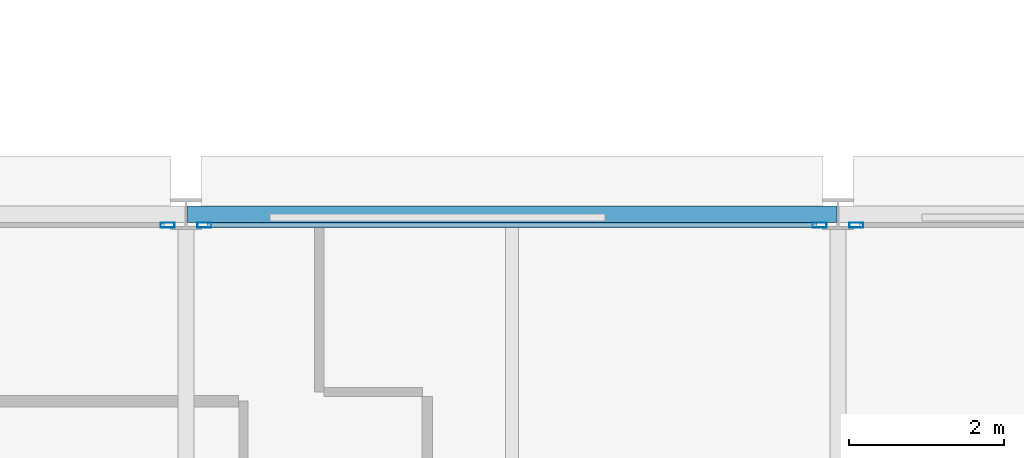
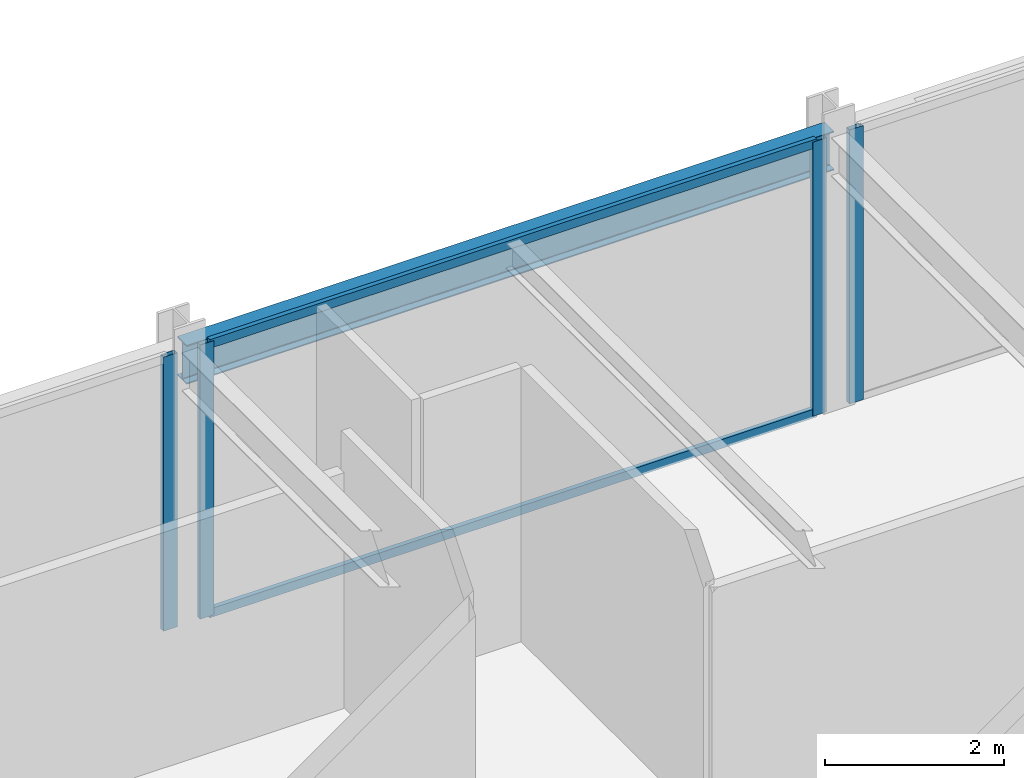
# One storey, part 20 of 40: 6 members, 1 beam, 3 elements without a shape of their own.
"""IFC4 building model written with IfcOpenShell, lengths in metres."""

from ifc_helpers import new_model, si_unit, direction, frame, origin, origin_2d, place, context, subcontext, project, spatial, hollow_rectangle, i_section, extrude, material, layer, layer_set, material_profile, profile_set, type_object, element, aggregate, save


model = new_model("IFC4")

# Units and contexts
model_context = context("Model", 3, precision=1e-05, world=origin(), true_north=direction((0.0, 1.0)))
body_context = subcontext(model_context, "Body", "Model", "MODEL_VIEW")
ifc_project = project(units=[si_unit("LENGTHUNIT", "METRE"), si_unit("AREAUNIT", "SQUARE_METRE"), si_unit("VOLUMEUNIT", "CUBIC_METRE"), si_unit("PLANEANGLEUNIT", "RADIAN"), si_unit("MASSUNIT", "GRAM", prefix="KILO")], contexts=[model_context])

# Site, building, storey
site_placement = place(None, origin())
site = spatial("IfcSite", under=ifc_project, at=site_placement, CompositionType="ELEMENT")
building_placement = place(site_placement, origin())
building = spatial("IfcBuilding", under=site, at=building_placement, Name="Nerrivon Quay Data Exchange", CompositionType="ELEMENT")
storey_placement = place(building_placement, frame((0.0, 0.0, 109.0)))
storey = spatial("IfcBuildingStorey", under=building, at=storey_placement, Name="L25", CompositionType="ELEMENT", Elevation=109.0)

# Beam
ifc_material_1 = material(Name="Steel Grade 350", Category="steel")
ifc_material_profile_1 = material_profile(ifc_material_1, i_section(OverallWidth=0.208984375, OverallDepth=0.532958984375, WebThickness=0.01025390625, FlangeThickness=0.015625, FilletRadius=0.013916015625, at=origin_2d()), Name="530UB92.4")
ifc_profile_set_1 = profile_set([ifc_material_profile_1], Name="Steel Grade 350")
beam_type = type_object("IfcBeamType", Name="BM-G3-530UB92", PredefinedType="BEAM", material=ifc_profile_set_1)
beam_placement = place(storey_placement, frame((33.612548828125, 25.199951171875, 3.4833984375), z_axis=(1.0, 0.0, 0.0), x_axis=(0.0, 1.0, 0.0)))
element("IfcBeam", 1, at=beam_placement, inside=storey, type_object=beam_type, Name="L25 EW Girder Y=25.2 (33.6..42.0)", PredefinedType="BEAM", context=body_context, shape_type="SweptSolid", body=[
    extrude(i_section(OverallWidth=0.208984375, OverallDepth=0.532958984375, WebThickness=0.01025390625, FlangeThickness=0.015625, FilletRadius=0.013916015625, at=origin_2d()), origin(), (0.0, 0.0, 1.0), 8.375),
])

# Curtain wall, member
ifc_material_2 = material(Name="Anodised aluminium 6063-T6", Category="aluminium")
ifc_layer = layer(ifc_material_2, 0.2099609375)
ifc_layer_set = layer_set([ifc_layer], Name="Anodised aluminium 6063-T6")
curtain_wall_type = type_object("IfcCurtainWallType", Name="CW-SYS-02", PredefinedType="NOTDEFINED", material=ifc_layer_set)
curtain_wall_1_placement = place(storey_placement, origin())
curtain_wall_1 = element("IfcCurtainWall", 2, at=curtain_wall_1_placement, inside=storey, type_object=curtain_wall_type, Name="L25 Unitised Curtain Wall 32", PredefinedType="NOTDEFINED")
ifc_material_profile_2 = material_profile(ifc_material_2, hollow_rectangle(XDim=0.06494140625, YDim=0.179931640625, WallThickness=0.00341796875, at=origin_2d()), Name="ALU-MULL-180x65")
ifc_profile_set_2 = profile_set([ifc_material_profile_2], Name="Anodised aluminium 6063-T6")
member_type_1 = type_object("IfcMemberType", Name="CWM-180x65", PredefinedType="MULLION", material=ifc_profile_set_2)
member_1_placement = place(storey_placement, frame((33.362548828125, 25.06005859375, 0.0), z_axis=(0.0, 0.0, 1.0), x_axis=(0.0, 1.0, 0.0)))
member_1 = element("IfcMember", 3, at=member_1_placement, type_object=member_type_1, Name="CW02 mullion 2", PredefinedType="MULLION", context=body_context, shape_type="SweptSolid", body=[
    extrude(hollow_rectangle(XDim=0.06494140625, YDim=0.179931640625, WallThickness=0.00341796875, at=origin_2d()), origin(), (0.0, 0.0, 1.0), 3.75),
])
aggregate(curtain_wall_1, [member_1])

# Curtain wall, members
curtain_wall_2_placement = place(storey_placement, origin())
curtain_wall_2 = element("IfcCurtainWall", 4, at=curtain_wall_2_placement, inside=storey, type_object=curtain_wall_type, Name="L25 Unitised Curtain Wall 33", PredefinedType="NOTDEFINED")
member_2_placement = place(storey_placement, frame((33.83740234375, 25.06005859375, 0.0), z_axis=(0.0, 0.0, 1.0), x_axis=(0.0, 1.0, 0.0)))
member_2 = element("IfcMember", 5, at=member_2_placement, type_object=member_type_1, Name="CW02 mullion 1", PredefinedType="MULLION", context=body_context, shape_type="SweptSolid", body=[
    extrude(hollow_rectangle(XDim=0.06494140625, YDim=0.179931640625, WallThickness=0.00341796875, at=origin_2d()), origin(), (0.0, 0.0, 1.0), 3.75),
])
member_3_placement = place(storey_placement, frame((41.762451171875, 25.06005859375, 0.0), z_axis=(0.0, 0.0, 1.0), x_axis=(0.0, 1.0, 0.0)))
member_3 = element("IfcMember", 6, at=member_3_placement, type_object=member_type_1, Name="CW02 mullion 2", PredefinedType="MULLION", context=body_context, shape_type="SweptSolid", body=[
    extrude(hollow_rectangle(XDim=0.06494140625, YDim=0.179931640625, WallThickness=0.00341796875, at=origin_2d()), origin(), (0.0, 0.0, 1.0), 3.75),
])

# Curtain wall, member
curtain_wall_3_placement = place(storey_placement, origin())
curtain_wall_3 = element("IfcCurtainWall", 7, at=curtain_wall_3_placement, inside=storey, type_object=curtain_wall_type, Name="L25 Unitised Curtain Wall 34", PredefinedType="NOTDEFINED")
member_4_placement = place(storey_placement, frame((42.237548828125, 25.06005859375, 0.0), z_axis=(0.0, 0.0, 1.0), x_axis=(0.0, 1.0, 0.0)))
member_4 = element("IfcMember", 8, at=member_4_placement, type_object=member_type_1, Name="CW02 mullion 1", PredefinedType="MULLION", context=body_context, shape_type="SweptSolid", body=[
    extrude(hollow_rectangle(XDim=0.06494140625, YDim=0.179931640625, WallThickness=0.00341796875, at=origin_2d()), origin(), (0.0, 0.0, 1.0), 3.75),
])
aggregate(curtain_wall_3, [member_4])

# Member
ifc_material_profile_3 = material_profile(ifc_material_2, hollow_rectangle(XDim=0.06005859375, YDim=0.1201171875, WallThickness=0.003173828125, at=origin_2d()), Name="ALU-TRAN-120x60")
ifc_profile_set_3 = profile_set([ifc_material_profile_3], Name="Anodised aluminium 6063-T6")
member_type_2 = type_object("IfcMemberType", Name="CWT-120x60", PredefinedType="USERDEFINED", material=ifc_profile_set_3)
member_5_placement = place(storey_placement, frame((33.875, 25.06005859375, 0.032470703125), z_axis=(1.0, 0.0, 0.0), x_axis=(0.0, 1.0, 0.0)))
member_5 = element("IfcMember", 9, at=member_5_placement, type_object=member_type_2, Name="CW02 transom 1.1", ObjectType="TRANSOM", PredefinedType="USERDEFINED", context=body_context, shape_type="SweptSolid", body=[
    extrude(hollow_rectangle(XDim=0.06005859375, YDim=0.1201171875, WallThickness=0.003173828125, at=origin_2d()), origin(), (0.0, 0.0, 1.0), 7.85009765625),
])

member_6_placement = place(storey_placement, frame((33.875, 25.06005859375, 3.717529296875), z_axis=(1.0, 0.0, 0.0), x_axis=(0.0, 1.0, 0.0)))
member_6 = element("IfcMember", 10, at=member_6_placement, type_object=member_type_2, Name="CW02 transom 1.2", ObjectType="TRANSOM", PredefinedType="USERDEFINED", context=body_context, shape_type="SweptSolid", body=[
    extrude(hollow_rectangle(XDim=0.06005859375, YDim=0.1201171875, WallThickness=0.003173828125, at=origin_2d()), origin(), (0.0, 0.0, 1.0), 7.85009765625),
])

aggregate(curtain_wall_2, [member_2, member_3, member_5, member_6])

save(model, "model.ifc")
